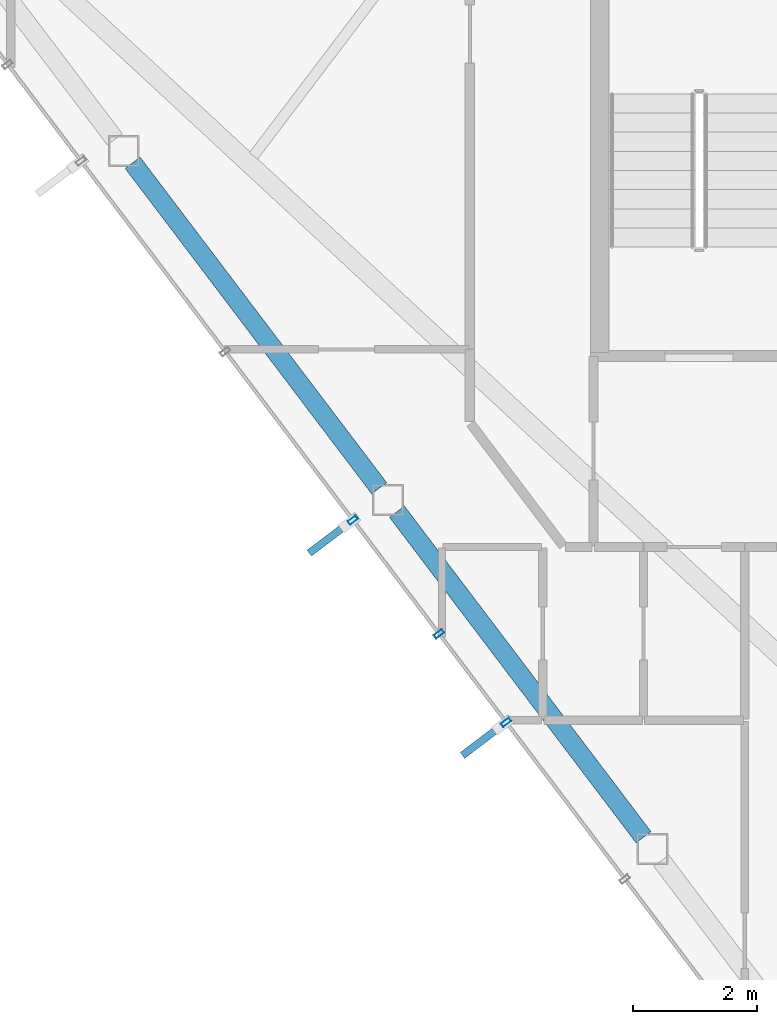
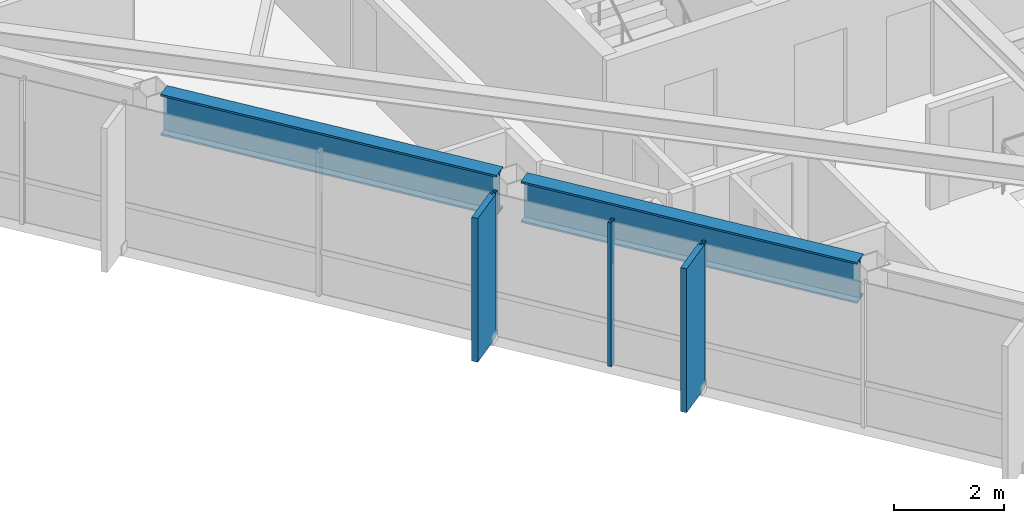
# One storey, part 3 of 26: 5 members, 2 beams, 1 element without a shape of its own.
"""IFC4 building model written with IfcOpenShell, lengths in metres."""

from ifc_helpers import new_model, si_unit, direction, frame, origin, origin_2d, place, context, subcontext, project, spatial, rectangle, hollow_rectangle, i_section, extrude, material, layer, layer_set, material_profile, profile_set, type_object, element, aggregate, save


model = new_model("IFC4")

# Units and contexts
model_context = context("Model", 3, precision=1e-05, world=origin(), true_north=direction((0.0, 1.0)))
body_context = subcontext(model_context, "Body", "Model", "MODEL_VIEW")
ifc_project = project(units=[si_unit("LENGTHUNIT", "METRE"), si_unit("AREAUNIT", "SQUARE_METRE"), si_unit("VOLUMEUNIT", "CUBIC_METRE"), si_unit("PLANEANGLEUNIT", "RADIAN"), si_unit("MASSUNIT", "GRAM", prefix="KILO")], contexts=[model_context])

# Site, building, storey
site_placement = place(None, origin())
site = spatial("IfcSite", under=ifc_project, at=site_placement, CompositionType="ELEMENT")
building_placement = place(site_placement, origin())
building = spatial("IfcBuilding", under=site, at=building_placement, Name="Zarrinselat Tower", CompositionType="ELEMENT")
storey_placement = place(building_placement, frame((0.0, 0.0, 258.39990234375)))
storey = spatial("IfcBuildingStorey", under=building, at=storey_placement, Name="L65", CompositionType="ELEMENT", Elevation=258.39990234375)

# Beams
ifc_material_1 = material(Name="Steel S460M", Category="steel")
ifc_material_profile_1 = material_profile(ifc_material_1, i_section(OverallWidth=0.302001953125, OverallDepth=0.909912109375, WebThickness=0.02099609375, FlangeThickness=0.0400390625, at=origin_2d()), Name="HEM 900")
ifc_profile_set_1 = profile_set([ifc_material_profile_1], Name="Steel S460M")
beam_type = type_object("IfcBeamType", Name="BM-HEM900", PredefinedType="BEAM", material=ifc_profile_set_1)
beam_1_placement = place(storey_placement, frame((21.095458984375, 36.365234375, 2.72509765625), z_axis=(0.603860534424, -0.797089991761, 0.0), x_axis=(0.797089991761, 0.603860534424, 0.0)))
element("IfcBeam", 1, at=beam_1_placement, inside=storey, type_object=beam_type, Name="L65 Perimeter Spandrel Girder SP07", PredefinedType="BEAM", context=body_context, shape_type="SweptSolid", body=[
    extrude(i_section(OverallWidth=0.302001953125, OverallDepth=0.909912109375, WebThickness=0.02099609375, FlangeThickness=0.0400390625, at=origin_2d()), origin(), (0.0, 0.0, 1.0), 6.60546875),
])
beam_2_placement = place(storey_placement, frame((25.37158203125, 30.720703125, 2.72509765625), z_axis=(0.60384274456, -0.797103468718, 0.0), x_axis=(0.797103468718, 0.60384274456, 0.0)))
element("IfcBeam", 2, at=beam_2_placement, inside=storey, type_object=beam_type, Name="L65 Perimeter Spandrel Girder SP08", PredefinedType="BEAM", context=body_context, shape_type="SweptSolid", body=[
    extrude(i_section(OverallWidth=0.302001953125, OverallDepth=0.909912109375, WebThickness=0.02099609375, FlangeThickness=0.0400390625, at=origin_2d()), origin(), (0.0, 0.0, 1.0), 6.605712890625),
])

# Curtain wall, members
ifc_material_2 = material(Name="Extruded Aluminium Alloy EN AW-6063 T6", Category="aluminium")
ifc_layer = layer(ifc_material_2, 0.169921875)
ifc_layer_set = layer_set([ifc_layer], Name="Extruded Aluminium Alloy EN AW-6063 T6")
curtain_wall_type = type_object("IfcCurtainWallType", Name="CWS-RES", PredefinedType="NOTDEFINED", material=ifc_layer_set)
curtain_wall_placement = place(storey_placement, origin())
curtain_wall = element("IfcCurtainWall", 3, at=curtain_wall_placement, inside=storey, type_object=curtain_wall_type, Name="L65 Unitised Curtain Wall CW-L65-E03", PredefinedType="NOTDEFINED")
ifc_material_3 = material(Name="Extruded Aluminium Alloy EN AW-6063 T6", Category="aluminium")
ifc_material_profile_2 = material_profile(ifc_material_3, hollow_rectangle(XDim=0.070068359375, YDim=0.159912109375, WallThickness=0.00390625, at=origin_2d()), Name="RHS 160x70x4")
ifc_profile_set_2 = profile_set([ifc_material_profile_2], Name="Extruded Aluminium Alloy EN AW-6063 T6")
member_type_1 = type_object("IfcMemberType", Name="MEM-CW-MUL2", PredefinedType="MULLION", material=ifc_profile_set_2)
member_1_placement = place(storey_placement, frame((24.65869140625, 30.585205078125, 0.0), z_axis=(0.0, 0.0, 1.0), x_axis=(0.603858282603, -0.797091697694, 0.0)))
member_1 = element("IfcMember", 4, at=member_1_placement, type_object=member_type_1, Name="CW-L65-E03 Mullion 5", PredefinedType="MULLION", context=body_context, shape_type="SweptSolid", body=[
    extrude(hollow_rectangle(XDim=0.070068359375, YDim=0.159912109375, WallThickness=0.00390625, at=origin_2d()), origin(), (0.0, 0.0, 1.0), 3.18017578125),
])
member_2_placement = place(storey_placement, frame((26.05224609375, 28.745849609375, 0.0), z_axis=(0.0, 0.0, 1.0), x_axis=(0.603858282603, -0.797091697694, 0.0)))
member_2 = element("IfcMember", 5, at=member_2_placement, type_object=member_type_1, Name="CW-L65-E03 Mullion 6", PredefinedType="MULLION", context=body_context, shape_type="SweptSolid", body=[
    extrude(hollow_rectangle(XDim=0.070068359375, YDim=0.159912109375, WallThickness=0.00390625, at=origin_2d()), origin(), (0.0, 0.0, 1.0), 3.18017578125),
])
member_3_placement = place(storey_placement, frame((27.13720703125, 27.313720703125, 0.0), z_axis=(0.0, 0.0, 1.0), x_axis=(0.603858282603, -0.797091697694, 0.0)))
member_3 = element("IfcMember", 6, at=member_3_placement, type_object=member_type_1, Name="CW-L65-E03 Mullion 7", PredefinedType="MULLION", context=body_context, shape_type="SweptSolid", body=[
    extrude(hollow_rectangle(XDim=0.070068359375, YDim=0.159912109375, WallThickness=0.00390625, at=origin_2d()), origin(), (0.0, 0.0, 1.0), 3.18017578125),
])
ifc_material_4 = material(Name="Honed Cream Travertine Stone", Category="masonry")
ifc_material_profile_3 = material_profile(ifc_material_4, rectangle(XDim=0.1201171875, YDim=0.85009765625, at=origin_2d()), Name="FIN 850x120")
ifc_profile_set_3 = profile_set([ifc_material_profile_3], Name="Honed Cream Travertine Stone")
member_type_2 = type_object("IfcMemberType", Name="MEM-STONE-FIN", PredefinedType="USERDEFINED", material=ifc_profile_set_3)
member_4_placement = place(storey_placement, frame((24.2919921875, 30.3076171875, 0.0), z_axis=(0.0, 0.0, 1.0), x_axis=(-0.603858282603, 0.797091697694, 0.0)))
member_4 = element("IfcMember", 7, at=member_4_placement, type_object=member_type_2, Name="L65 Stone Shading Fin CW-L65-E03-05", ObjectType="FIN", PredefinedType="USERDEFINED", context=body_context, shape_type="SweptSolid", body=[
    extrude(rectangle(XDim=0.1201171875, YDim=0.85009765625, at=origin_2d()), origin(), (0.0, 0.0, 1.0), 3.18017578125),
])
member_5_placement = place(storey_placement, frame((26.7705078125, 27.035888671875, 0.0), z_axis=(0.0, 0.0, 1.0), x_axis=(-0.603858282603, 0.797091697694, 0.0)))
member_5 = element("IfcMember", 8, at=member_5_placement, type_object=member_type_2, Name="L65 Stone Shading Fin CW-L65-E03-07", ObjectType="FIN", PredefinedType="USERDEFINED", context=body_context, shape_type="SweptSolid", body=[
    extrude(rectangle(XDim=0.1201171875, YDim=0.85009765625, at=origin_2d()), origin(), (0.0, 0.0, 1.0), 3.18017578125),
])
aggregate(curtain_wall, [member_1, member_4, member_2, member_3, member_5])

save(model, "model.ifc")
